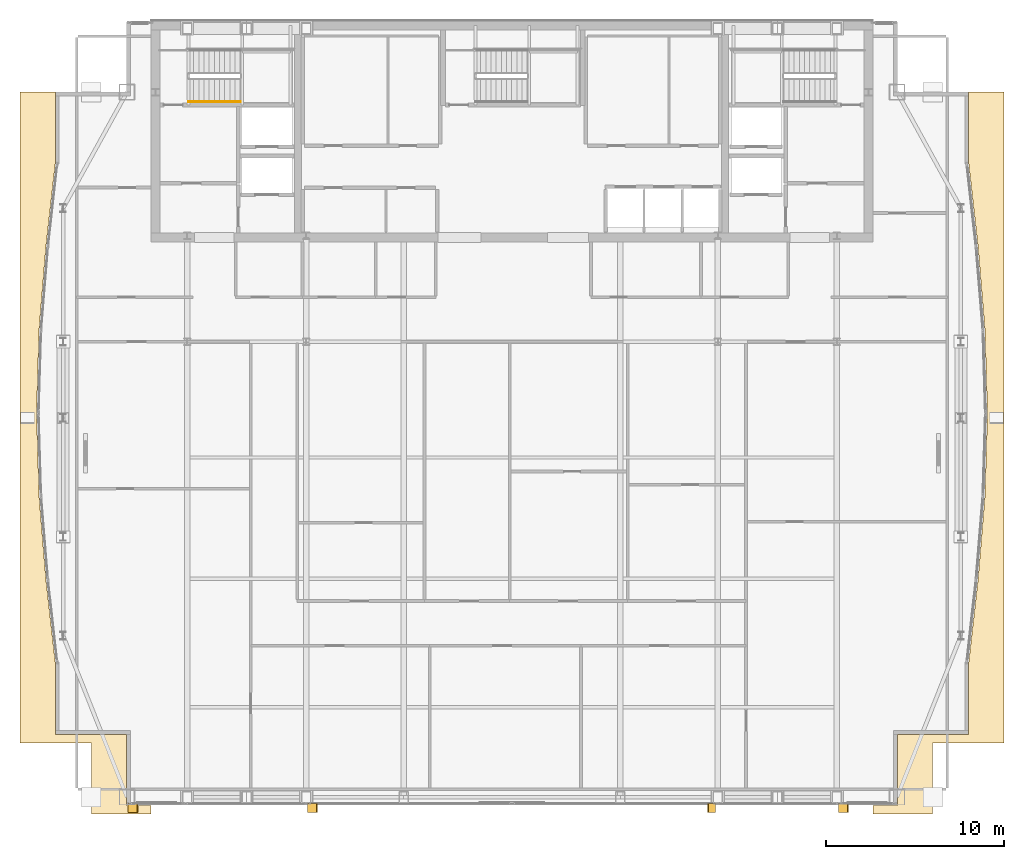
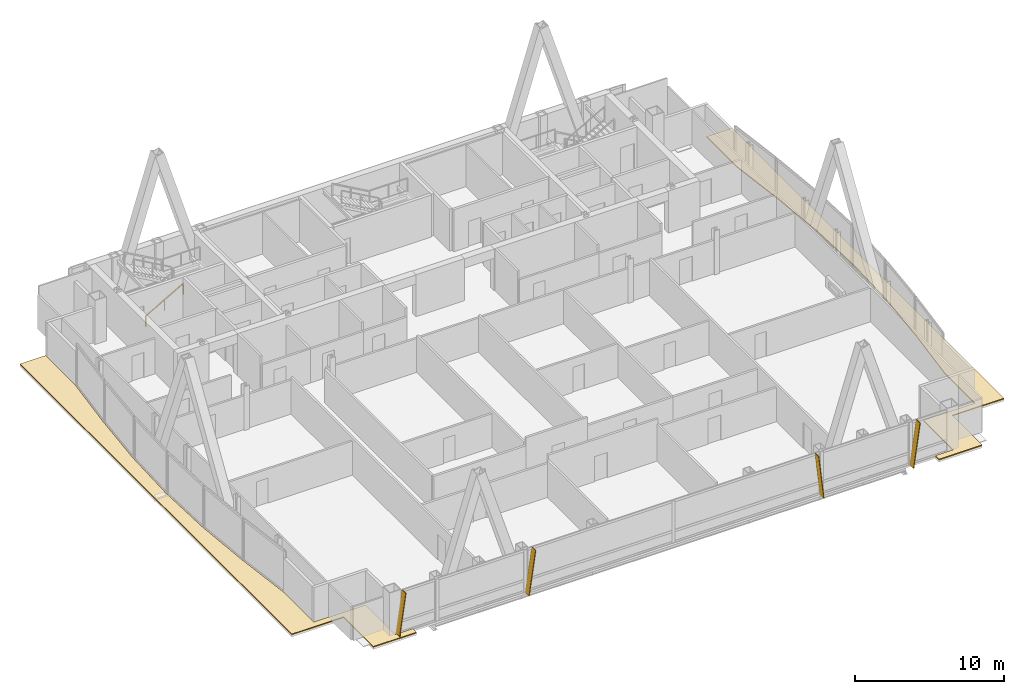
# One storey, part 27 of 28: 4 shading devices, 2 coverings, 1 railing.
"""IFC4 building model written with IfcOpenShell, lengths in metres."""

from ifc_helpers import new_model, si_unit, direction, frame, origin, origin_2d, place, context, subcontext, project, spatial, polyline, rectangle, outline, extrude, material, layer, layer_set, type_object, element, save


model = new_model("IFC4")

# Units and contexts
model_context = context("Model", 3, precision=1e-05, world=origin(), true_north=direction((0.0, 1.0)))
body_context = subcontext(model_context, "Body", "Model", "MODEL_VIEW")
ifc_project = project(units=[si_unit("LENGTHUNIT", "METRE"), si_unit("AREAUNIT", "SQUARE_METRE"), si_unit("VOLUMEUNIT", "CUBIC_METRE"), si_unit("PLANEANGLEUNIT", "RADIAN"), si_unit("MASSUNIT", "GRAM", prefix="KILO")], contexts=[model_context])

# Site, building, storey
site_placement = place(None, origin())
site = spatial("IfcSite", under=ifc_project, at=site_placement, CompositionType="ELEMENT")
building_placement = place(site_placement, origin())
building = spatial("IfcBuilding", under=site, at=building_placement, Name="Khoronbel Lancet Exchange", CompositionType="ELEMENT")
storey_placement = place(building_placement, frame((0.0, 0.0, 291.39990234375)))
storey = spatial("IfcBuildingStorey", under=building, at=storey_placement, Name="L75", CompositionType="ELEMENT", Elevation=291.39990234375)

# Coverings
ifc_material_1 = material(Name="Standing-Seam Bronze & SBS Waterproofing Assembly", Category="aluminium")
ifc_layer_1 = layer(ifc_material_1, 0.080078125, Name="Standing-Seam Bronze & SBS Waterproofing Assembly")
ifc_layer_set_1 = layer_set([ifc_layer_1], Name="Standing-Seam Bronze & SBS Waterproofing Assembly")
covering_type = type_object("IfcCoveringType", Name="COV-ROOF1", PredefinedType="ROOFING", material=ifc_layer_set_1)
covering_1_placement = place(storey_placement, origin())
element("IfcCovering", 1, at=covering_1_placement, inside=storey, type_object=covering_type, Name="Level L75 setback roof slab 1 insulated roofing assembly", PredefinedType="ROOFING", context=body_context, shape_type="SweptSolid", body=[
    extrude(outline(polyline([(12.85009765625, 9.199951171875), (12.85009765625, 13.199951171875), (8.85009765625, 13.199951171875), (8.85009765625, 17.199951171875), (8.85009765625, 45.699951171875), (8.85009765625, 49.699951171875), (10.830078125, 49.699951171875), (10.830078125, 45.701171875), (10.30517578125, 41.035400390625), (10.30517578125, 41.034912109375), (9.9208984375, 36.368408203125), (9.920654296875, 36.3671875), (9.780029296875, 31.70068359375), (9.780029296875, 31.699462890625), (9.920654296875, 27.03271484375), (9.9208984375, 27.03173828125), (10.30517578125, 22.364990234375), (10.30517578125, 22.364501953125), (10.830078125, 17.698974609375), (10.830078125, 13.699951171875), (10.830078125, 13.697998046875), (10.830322265625, 13.696044921875), (10.830810546875, 13.694091796875), (10.83154296875, 13.6923828125), (10.83251953125, 13.690673828125), (10.83349609375, 13.68896484375), (10.83447265625, 13.687255859375), (10.8359375, 13.685791015625), (10.83740234375, 13.6845703125), (10.8388671875, 13.683349609375), (10.840576171875, 13.682373046875), (10.84228515625, 13.681396484375), (10.84423828125, 13.680908203125), (10.84619140625, 13.680419921875), (10.847900390625, 13.68017578125), (10.85009765625, 13.679931640625), (14.830078125, 13.679931640625), (14.830078125, 9.699951171875), (14.830078125, 9.697998046875), (14.830322265625, 9.696044921875), (14.830810546875, 9.694091796875), (14.83154296875, 9.6923828125), (14.83251953125, 9.690673828125), (14.83349609375, 9.68896484375), (14.83447265625, 9.687255859375), (14.8359375, 9.685791015625), (14.83740234375, 9.6845703125), (14.8388671875, 9.683349609375), (14.840576171875, 9.682373046875), (14.84228515625, 9.681396484375), (14.84423828125, 9.680908203125), (14.84619140625, 9.680419921875), (14.847900390625, 9.68017578125), (14.85009765625, 9.679931640625), (16.199951171875, 9.679931640625), (16.199951171875, 9.199951171875), (12.85009765625, 9.199951171875)])), origin(), (0.0, 0.0, 1.0), 0.080078125),
])
covering_2_placement = place(storey_placement, origin())
element("IfcCovering", 2, at=covering_2_placement, inside=storey, type_object=covering_type, Name="Level L75 setback roof slab 2 insulated roofing assembly", PredefinedType="ROOFING", context=body_context, shape_type="SweptSolid", body=[
    extrude(outline(polyline([(64.050048828125, 45.699951171875), (64.050048828125, 17.199951171875), (64.050048828125, 13.199951171875), (60.050048828125, 13.199951171875), (60.050048828125, 9.199951171875), (56.699951171875, 9.199951171875), (56.699951171875, 9.679931640625), (58.050048828125, 9.679931640625), (58.052001953125, 9.68017578125), (58.053955078125, 9.680419921875), (58.055908203125, 9.680908203125), (58.0576171875, 9.681396484375), (58.059326171875, 9.682373046875), (58.06103515625, 9.683349609375), (58.062744140625, 9.6845703125), (58.064208984375, 9.685791015625), (58.0654296875, 9.687255859375), (58.066650390625, 9.68896484375), (58.067626953125, 9.690673828125), (58.068603515625, 9.6923828125), (58.069091796875, 9.694091796875), (58.069580078125, 9.696044921875), (58.06982421875, 9.697998046875), (58.070068359375, 9.699951171875), (58.070068359375, 13.679931640625), (62.050048828125, 13.679931640625), (62.052001953125, 13.68017578125), (62.053955078125, 13.680419921875), (62.055908203125, 13.680908203125), (62.0576171875, 13.681396484375), (62.059326171875, 13.682373046875), (62.06103515625, 13.683349609375), (62.062744140625, 13.6845703125), (62.064208984375, 13.685791015625), (62.0654296875, 13.687255859375), (62.066650390625, 13.68896484375), (62.067626953125, 13.690673828125), (62.068603515625, 13.6923828125), (62.069091796875, 13.694091796875), (62.069580078125, 13.696044921875), (62.06982421875, 13.697998046875), (62.070068359375, 13.699951171875), (62.070068359375, 17.698974609375), (62.594970703125, 22.364501953125), (62.594970703125, 22.364990234375), (62.979248046875, 27.03173828125), (62.979248046875, 27.03271484375), (63.1201171875, 31.699462890625), (63.1201171875, 31.70068359375), (62.979248046875, 36.3671875), (62.979248046875, 36.368408203125), (62.594970703125, 41.034912109375), (62.594970703125, 41.035400390625), (62.070068359375, 45.701171875), (62.070068359375, 49.699951171875), (64.050048828125, 49.699951171875), (64.050048828125, 45.699951171875)])), origin(), (0.0, 0.0, 1.0), 0.080078125),
])

# Railing
ifc_material_2 = material(Name="Brushed Stainless Steel 316", Category="steel")
railing_type = type_object("IfcRailingType", Name="RL-STH92", PredefinedType="HANDRAIL", material=ifc_material_2)
railing_placement = place(storey_placement, frame((18.300048828125, 49.169921875, 0.163818359375)))
element("IfcRailing", 3, at=railing_placement, inside=storey, type_object=railing_type, Name="L75 ST1 stair handrail 1", PredefinedType="HANDRAIL", context=body_context, shape_type="SweptSolid", body=[
    extrude(rectangle(XDim=0.048095703125, YDim=0.048095703125, at=origin_2d()), frame((0.0, 0.0, 0.8759765625), z_axis=(0.870928581787, 0.0, 0.491409610636), x_axis=(0.0, 1.0, 0.0)), (0.0, 0.0, 1.0), 3.32958984375),
    extrude(rectangle(XDim=0.0419921875, YDim=0.0419921875, at=origin_2d()), origin(), (0.0, 0.0, 1.0), 0.851806640625),
    extrude(rectangle(XDim=0.0419921875, YDim=0.0419921875, at=origin_2d()), frame((1.449951171875, 0.0, 0.818115234375)), (0.0, 0.0, 1.0), 0.851806640625),
    extrude(rectangle(XDim=0.0419921875, YDim=0.0419921875, at=origin_2d()), frame((2.89990234375, 0.0, 1.63623046875)), (0.0, 0.0, 1.0), 0.851806640625),
])

# Shading devices
ifc_material_3 = material(Name="Bronze-Anodised Aluminium 6063-T6", Category="aluminium")
ifc_layer_2 = layer(ifc_material_3, 0.054931640625, Name="Bronze-Anodised Aluminium 6063-T6")
ifc_layer_set_2 = layer_set([ifc_layer_2], Name="Bronze-Anodised Aluminium 6063-T6")
shading_device_type = type_object("IfcShadingDeviceType", Name="SHD-FIN1", PredefinedType="USERDEFINED", material=ifc_layer_set_2)
for number, where, z_axis, x_axis, name in (
    (4, (14.91259765625, 9.81005859375, -0.079833984375), (-0.990091586433, 0.0, 0.14042311232), (0.0, -1.0, 0.0), "Slanted bronze solar fin CW-L75-SWV-0"),
    (5, (24.972412109375, 9.81005859375, -0.079833984375), (-0.990082143633, 0.0, 0.140489675274), (0.0, -1.0, 0.0), "Slanted bronze solar fin CW-L75-SCV-0"),
):
    element("IfcShadingDevice", number, at=place(storey_placement, frame(where, z_axis=z_axis, x_axis=x_axis)), inside=storey, type_object=shading_device_type, Name=name, ObjectType="FIN", PredefinedType="USERDEFINED", context=body_context, shape_type="SweptSolid", body=[
        extrude(outline(polyline([(0.0, 0.0), (0.52001953125, 0.0), (0.52001953125, 3.595458984375), (0.0, 3.595458984375), (0.0, 0.0)])), origin(), (0.0, 0.0, -1.0), 0.054931640625),
    ])
shading_device_1_placement = place(storey_placement, frame((47.87255859375, 9.81005859375, -0.079833984375), z_axis=(0.99389951861, 0.0, 0.110289378034), x_axis=(0.0, -1.0, 0.0)))
element("IfcShadingDevice", 6, at=shading_device_1_placement, inside=storey, type_object=shading_device_type, Name="Slanted bronze solar fin CW-L75-SCV-2", ObjectType="FIN", PredefinedType="USERDEFINED", context=body_context, shape_type="SweptSolid", body=[
    extrude(outline(polyline([(0.0, 0.0), (0.52001953125, 0.0), (0.52001953125, -3.58154296875), (0.0, -3.58154296875), (0.0, 0.0)])), origin(), (0.0, 0.0, -1.0), 0.054931640625),
])
shading_device_2_placement = place(storey_placement, frame((54.7724609375, 9.81005859375, -0.079833984375), z_axis=(-0.990082143633, 0.0, 0.140489675274), x_axis=(0.0, -1.0, 0.0)))
element("IfcShadingDevice", 7, at=shading_device_2_placement, inside=storey, type_object=shading_device_type, Name="Slanted bronze solar fin CW-L75-SEV-0", ObjectType="FIN", PredefinedType="USERDEFINED", context=body_context, shape_type="SweptSolid", body=[
    extrude(outline(polyline([(0.0, 0.0), (0.52001953125, 0.0), (0.52001953125, 3.595458984375), (0.0, 3.595458984375), (0.0, 0.0)])), origin(), (0.0, 0.0, -1.0), 0.054931640625),
])

save(model, "model.ifc")
